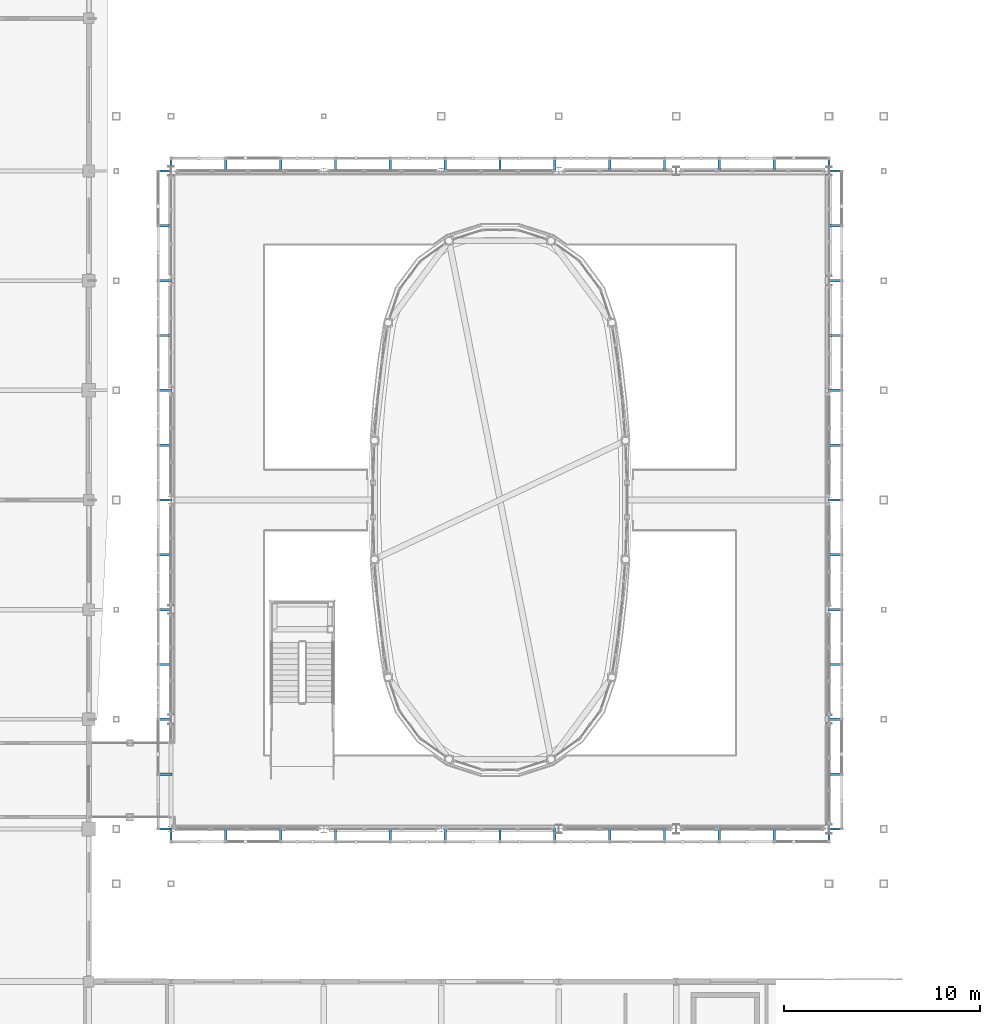
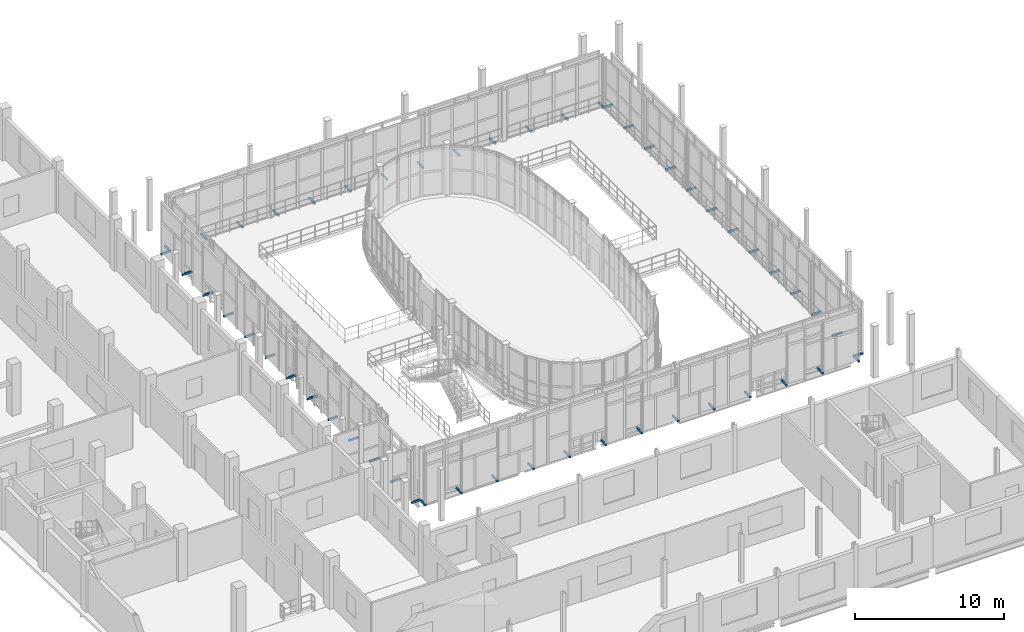
# One storey, part 109 of 121: 52 discrete accessories.
"""IFC4 building model written with IfcOpenShell, lengths in metres."""

from ifc_helpers import new_model, si_unit, direction, frame, origin, origin_2d, place, context, subcontext, project, spatial, rectangle, extrude, material, type_object, element, save


model = new_model("IFC4")

# Units and contexts
model_context = context("Model", 3, precision=1e-05, world=origin(), true_north=direction((0.0, 1.0)))
body_context = subcontext(model_context, "Body", "Model", "MODEL_VIEW")
ifc_project = project(units=[si_unit("LENGTHUNIT", "METRE"), si_unit("AREAUNIT", "SQUARE_METRE"), si_unit("VOLUMEUNIT", "CUBIC_METRE"), si_unit("PLANEANGLEUNIT", "RADIAN"), si_unit("MASSUNIT", "GRAM", prefix="KILO")], contexts=[model_context])

# Site, building, storey
site_placement = place(None, origin())
site = spatial("IfcSite", under=ifc_project, at=site_placement, CompositionType="ELEMENT")
building_placement = place(site_placement, origin())
building = spatial("IfcBuilding", under=site, at=building_placement, Name="Vinh Khe Railworks Police Headquarters", CompositionType="ELEMENT")
storey_placement = place(building_placement, frame((0.0, 0.0, 4.800048828125)))
storey = spatial("IfcBuildingStorey", under=building, at=storey_placement, Name="L01", CompositionType="ELEMENT", Elevation=4.800048828125)

# Discrete accessories
ifc_material = material(Name="Steel S355JR", Category="steel")
discrete_accessory_type = type_object("IfcDiscreteAccessoryType", Name="SCR-BRK-OUTRIGGER", PredefinedType="BRACKET", material=ifc_material)
for number, where, z_axis, x_axis, name in (
    (1, (26.39990234375, 24.875, -0.16015625), (0.0, 0.0, 1.0), (1.0, 0.0, 0.0), "Patchwork Screen Tie-Back Bracket S-1.1"),
    (2, (29.199951171875, 24.875, -0.16015625), (0.0, 0.0, 1.0), (1.0, 0.0, 0.0), "Patchwork Screen Tie-Back Bracket S-2.1"),
    (3, (32.0, 24.875, -0.16015625), (0.0, 0.0, 1.0), (1.0, 0.0, 0.0), "Patchwork Screen Tie-Back Bracket S-3.1"),
    (4, (34.800048828125, 24.875, -0.16015625), (0.0, 0.0, 1.0), (1.0, 0.0, 0.0), "Patchwork Screen Tie-Back Bracket S-4.1"),
    (5, (37.60009765625, 24.875, -0.16015625), (0.0, 0.0, 1.0), (1.0, 0.0, 0.0), "Patchwork Screen Tie-Back Bracket S-5.1"),
    (6, (40.39990234375, 24.875, -0.16015625), (0.0, 0.0, 1.0), (1.0, 0.0, 0.0), "Patchwork Screen Tie-Back Bracket S-6.1"),
    (7, (43.199951171875, 24.875, -0.16015625), (0.0, 0.0, 1.0), (1.0, 0.0, 0.0), "Patchwork Screen Tie-Back Bracket S-7.1"),
    (8, (46.0, 24.875, -0.16015625), (0.0, 0.0, 1.0), (1.0, 0.0, 0.0), "Patchwork Screen Tie-Back Bracket S-8.1"),
    (9, (48.800048828125, 24.875, -0.16015625), (0.0, 0.0, 1.0), (1.0, 0.0, 0.0), "Patchwork Screen Tie-Back Bracket S-9.1"),
    (10, (51.60009765625, 24.875, -0.16015625), (0.0, 0.0, 1.0), (1.0, 0.0, 0.0), "Patchwork Screen Tie-Back Bracket S-10.1"),
    (11, (54.39990234375, 24.875, -0.16015625), (0.0, 0.0, 1.0), (1.0, 0.0, 0.0), "Patchwork Screen Tie-Back Bracket S-11.1"),
    (12, (57.199951171875, 24.875, -0.16015625), (0.0, 0.0, 1.0), (1.0, 0.0, 0.0), "Patchwork Screen Tie-Back Bracket S-12.1"),
    (13, (60.0, 24.875, -0.16015625), (0.0, 0.0, 1.0), (1.0, 0.0, 0.0), "Patchwork Screen Tie-Back Bracket S-13.1"),
    (14, (26.39990234375, 59.125, -0.16015625), (0.0, 0.0, 1.0), (1.0, 0.0, 0.0), "Patchwork Screen Tie-Back Bracket N-1.1"),
    (15, (29.199951171875, 59.125, -0.16015625), (0.0, 0.0, 1.0), (1.0, 0.0, 0.0), "Patchwork Screen Tie-Back Bracket N-2.1"),
    (16, (32.0, 59.125, -0.16015625), (0.0, 0.0, 1.0), (1.0, 0.0, 0.0), "Patchwork Screen Tie-Back Bracket N-3.1"),
    (17, (34.800048828125, 59.125, -0.16015625), (0.0, 0.0, 1.0), (1.0, 0.0, 0.0), "Patchwork Screen Tie-Back Bracket N-4.1"),
    (18, (37.60009765625, 59.125, -0.16015625), (0.0, 0.0, 1.0), (1.0, 0.0, 0.0), "Patchwork Screen Tie-Back Bracket N-5.1"),
    (19, (40.39990234375, 59.125, -0.16015625), (0.0, 0.0, 1.0), (1.0, 0.0, 0.0), "Patchwork Screen Tie-Back Bracket N-6.1"),
    (20, (43.199951171875, 59.125, -0.16015625), (0.0, 0.0, 1.0), (1.0, 0.0, 0.0), "Patchwork Screen Tie-Back Bracket N-7.1"),
    (21, (46.0, 59.125, -0.16015625), (0.0, 0.0, 1.0), (1.0, 0.0, 0.0), "Patchwork Screen Tie-Back Bracket N-8.1"),
    (22, (48.800048828125, 59.125, -0.16015625), (0.0, 0.0, 1.0), (1.0, 0.0, 0.0), "Patchwork Screen Tie-Back Bracket N-9.1"),
    (23, (51.60009765625, 59.125, -0.16015625), (0.0, 0.0, 1.0), (1.0, 0.0, 0.0), "Patchwork Screen Tie-Back Bracket N-10.1"),
    (24, (54.39990234375, 59.125, -0.16015625), (0.0, 0.0, 1.0), (1.0, 0.0, 0.0), "Patchwork Screen Tie-Back Bracket N-11.1"),
    (25, (57.199951171875, 59.125, -0.16015625), (0.0, 0.0, 1.0), (1.0, 0.0, 0.0), "Patchwork Screen Tie-Back Bracket N-12.1"),
    (26, (60.0, 59.125, -0.16015625), (0.0, 0.0, 1.0), (1.0, 0.0, 0.0), "Patchwork Screen Tie-Back Bracket N-13.1"),
):
    element("IfcDiscreteAccessory", number, at=place(storey_placement, frame(where, z_axis=z_axis, x_axis=x_axis)), inside=storey, type_object=discrete_accessory_type, Name=name, PredefinedType="BRACKET", context=body_context, shape_type="SweptSolid", body=[
        extrude(rectangle(XDim=0.1201171875, YDim=0.77001953125, at=origin_2d()), origin(), (0.0, 0.0, 1.0), 0.159912109375),
    ])
for number, where, z_axis, x_axis, name in (
    (27, (60.324951171875, 25.199951171875, -0.16015625), (0.0, 0.0, 1.0), (1.0, 0.0, 0.0), "Patchwork Screen Tie-Back Bracket E-1.1"),
    (28, (60.324951171875, 28.0, -0.16015625), (0.0, 0.0, 1.0), (1.0, 0.0, 0.0), "Patchwork Screen Tie-Back Bracket E-2.1"),
    (29, (60.324951171875, 30.800048828125, -0.16015625), (0.0, 0.0, 1.0), (1.0, 0.0, 0.0), "Patchwork Screen Tie-Back Bracket E-3.1"),
    (30, (60.324951171875, 33.60009765625, -0.16015625), (0.0, 0.0, 1.0), (1.0, 0.0, 0.0), "Patchwork Screen Tie-Back Bracket E-4.1"),
    (31, (60.324951171875, 36.39990234375, -0.16015625), (0.0, 0.0, 1.0), (1.0, 0.0, 0.0), "Patchwork Screen Tie-Back Bracket E-5.1"),
    (32, (60.324951171875, 39.199951171875, -0.16015625), (0.0, 0.0, 1.0), (1.0, 0.0, 0.0), "Patchwork Screen Tie-Back Bracket E-6.1"),
    (33, (60.324951171875, 42.0, -0.16015625), (0.0, 0.0, 1.0), (1.0, 0.0, 0.0), "Patchwork Screen Tie-Back Bracket E-7.1"),
    (34, (60.324951171875, 44.800048828125, -0.16015625), (0.0, 0.0, 1.0), (1.0, 0.0, 0.0), "Patchwork Screen Tie-Back Bracket E-8.1"),
    (35, (60.324951171875, 47.60009765625, -0.16015625), (0.0, 0.0, 1.0), (1.0, 0.0, 0.0), "Patchwork Screen Tie-Back Bracket E-9.1"),
    (36, (60.324951171875, 50.39990234375, -0.16015625), (0.0, 0.0, 1.0), (1.0, 0.0, 0.0), "Patchwork Screen Tie-Back Bracket E-10.1"),
    (37, (60.324951171875, 53.199951171875, -0.16015625), (0.0, 0.0, 1.0), (1.0, 0.0, 0.0), "Patchwork Screen Tie-Back Bracket E-11.1"),
    (38, (60.324951171875, 56.0, -0.16015625), (0.0, 0.0, 1.0), (1.0, 0.0, 0.0), "Patchwork Screen Tie-Back Bracket E-12.1"),
    (39, (60.324951171875, 58.800048828125, -0.16015625), (0.0, 0.0, 1.0), (1.0, 0.0, 0.0), "Patchwork Screen Tie-Back Bracket E-13.1"),
    (40, (26.074951171875, 25.199951171875, -0.16015625), (0.0, 0.0, 1.0), (1.0, 0.0, 0.0), "Patchwork Screen Tie-Back Bracket W-1.1"),
    (41, (26.074951171875, 28.0, -0.16015625), (0.0, 0.0, 1.0), (1.0, 0.0, 0.0), "Patchwork Screen Tie-Back Bracket W-2.1"),
    (42, (26.074951171875, 30.800048828125, -0.16015625), (0.0, 0.0, 1.0), (1.0, 0.0, 0.0), "Patchwork Screen Tie-Back Bracket W-3.1"),
    (43, (26.074951171875, 33.60009765625, -0.16015625), (0.0, 0.0, 1.0), (1.0, 0.0, 0.0), "Patchwork Screen Tie-Back Bracket W-4.1"),
    (44, (26.074951171875, 36.39990234375, -0.16015625), (0.0, 0.0, 1.0), (1.0, 0.0, 0.0), "Patchwork Screen Tie-Back Bracket W-5.1"),
    (45, (26.074951171875, 39.199951171875, -0.16015625), (0.0, 0.0, 1.0), (1.0, 0.0, 0.0), "Patchwork Screen Tie-Back Bracket W-6.1"),
    (46, (26.074951171875, 42.0, -0.16015625), (0.0, 0.0, 1.0), (1.0, 0.0, 0.0), "Patchwork Screen Tie-Back Bracket W-7.1"),
    (47, (26.074951171875, 44.800048828125, -0.16015625), (0.0, 0.0, 1.0), (1.0, 0.0, 0.0), "Patchwork Screen Tie-Back Bracket W-8.1"),
    (48, (26.074951171875, 47.60009765625, -0.16015625), (0.0, 0.0, 1.0), (1.0, 0.0, 0.0), "Patchwork Screen Tie-Back Bracket W-9.1"),
    (49, (26.074951171875, 50.39990234375, -0.16015625), (0.0, 0.0, 1.0), (1.0, 0.0, 0.0), "Patchwork Screen Tie-Back Bracket W-10.1"),
    (50, (26.074951171875, 53.199951171875, -0.16015625), (0.0, 0.0, 1.0), (1.0, 0.0, 0.0), "Patchwork Screen Tie-Back Bracket W-11.1"),
    (51, (26.074951171875, 56.0, -0.16015625), (0.0, 0.0, 1.0), (1.0, 0.0, 0.0), "Patchwork Screen Tie-Back Bracket W-12.1"),
    (52, (26.074951171875, 58.800048828125, -0.16015625), (0.0, 0.0, 1.0), (1.0, 0.0, 0.0), "Patchwork Screen Tie-Back Bracket W-13.1"),
):
    element("IfcDiscreteAccessory", number, at=place(storey_placement, frame(where, z_axis=z_axis, x_axis=x_axis)), inside=storey, type_object=discrete_accessory_type, Name=name, PredefinedType="BRACKET", context=body_context, shape_type="SweptSolid", body=[
        extrude(rectangle(XDim=0.77001953125, YDim=0.1201171875, at=origin_2d()), origin(), (0.0, 0.0, 1.0), 0.159912109375),
    ])

save(model, "model.ifc")
